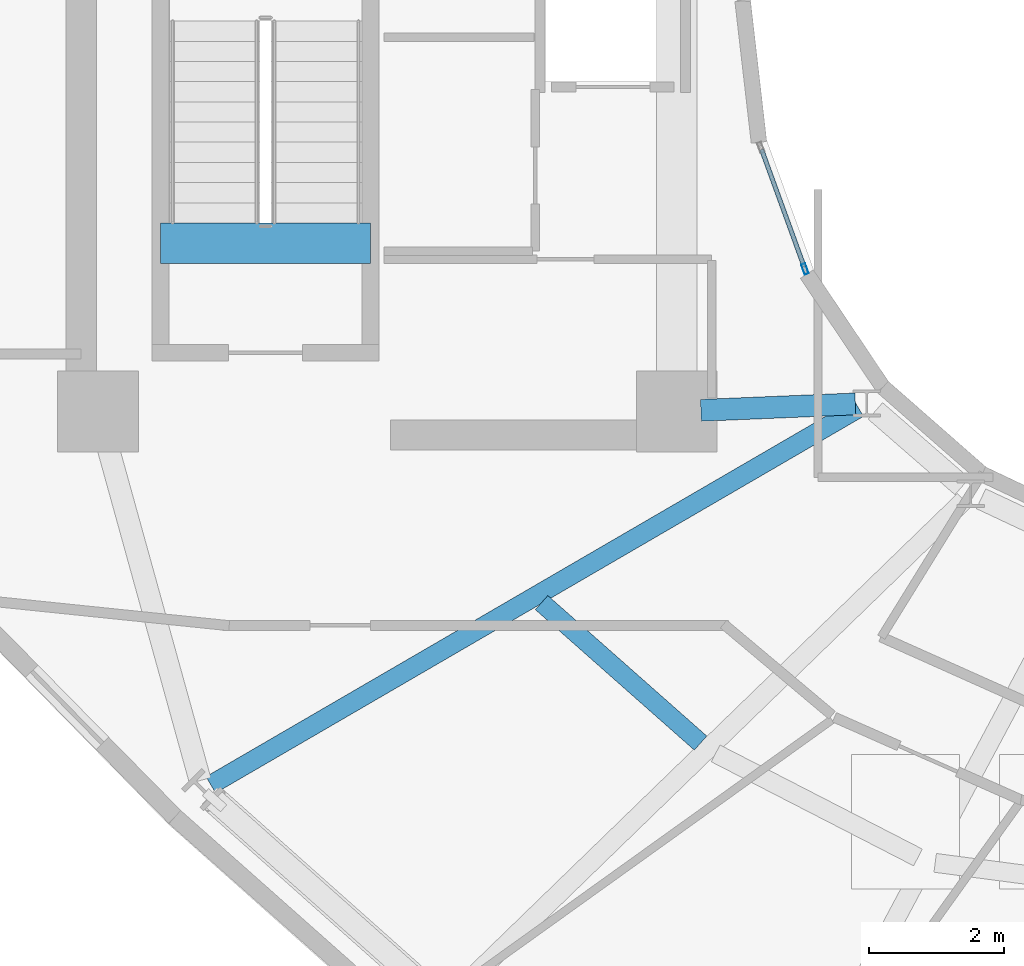
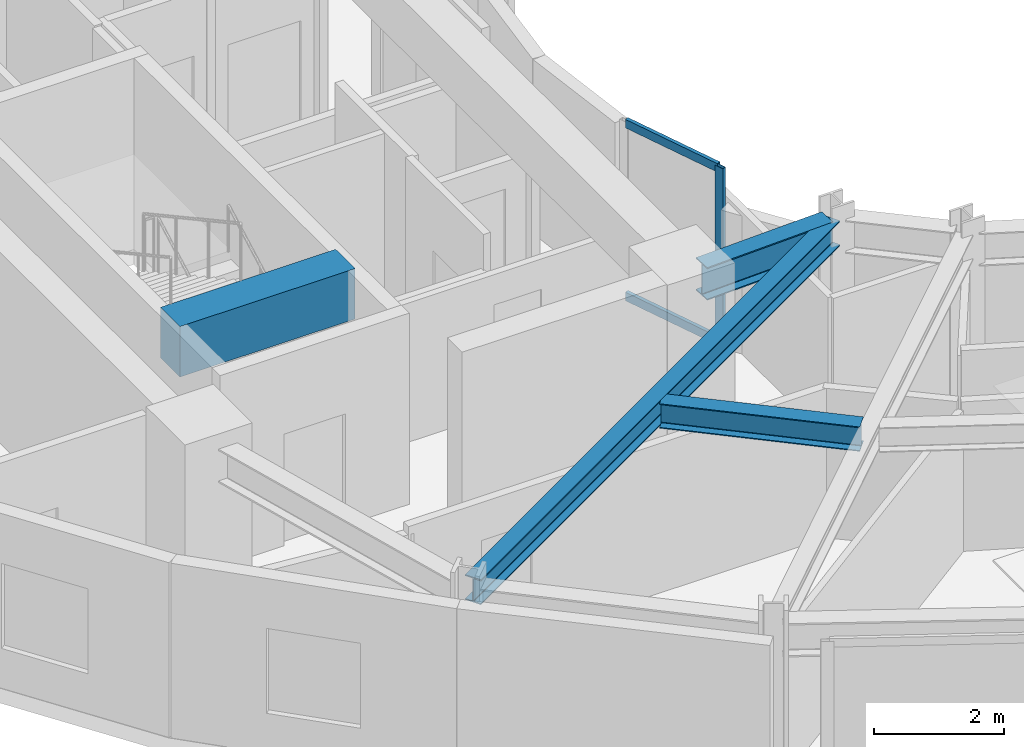
# One storey, part 3 of 24: 4 beams, 3 members, 1 element without a shape of its own.
"""IFC4 building model written with IfcOpenShell, lengths in metres."""

from ifc_helpers import new_model, si_unit, direction, frame, origin, origin_2d, place, context, subcontext, project, spatial, rectangle, hollow_rectangle, i_section, extrude, material, layer, layer_set, material_profile, profile_set, type_object, element, aggregate, save


model = new_model("IFC4")

# Units and contexts
model_context = context("Model", 3, precision=1e-05, world=origin(), true_north=direction((0.0, 1.0)))
body_context = subcontext(model_context, "Body", "Model", "MODEL_VIEW")
ifc_project = project(units=[si_unit("LENGTHUNIT", "METRE"), si_unit("AREAUNIT", "SQUARE_METRE"), si_unit("VOLUMEUNIT", "CUBIC_METRE"), si_unit("PLANEANGLEUNIT", "RADIAN"), si_unit("MASSUNIT", "GRAM", prefix="KILO")], contexts=[model_context])

# Site, building, storey
site_placement = place(None, origin())
site = spatial("IfcSite", under=ifc_project, at=site_placement, CompositionType="ELEMENT")
building_placement = place(site_placement, origin())
building = spatial("IfcBuilding", under=site, at=building_placement, Name="Solvane Sanctuary Tower", CompositionType="ELEMENT")
storey_placement = place(building_placement, frame((0.0, 0.0, 246.0)))
storey = spatial("IfcBuildingStorey", under=building, at=storey_placement, Name="L75", CompositionType="ELEMENT", Elevation=246.0)

# Beams
ifc_material_1 = material(Name="Concrete C70/85", Category="concrete")
ifc_material_profile_1 = material_profile(ifc_material_1, rectangle(XDim=0.60009765625, YDim=0.949951171875, at=origin_2d()), Name="RC600X950")
ifc_profile_set_1 = profile_set([ifc_material_profile_1], Name="Concrete C70/85")
beam_type_1 = type_object("IfcBeamType", Name="Beam B-COUPLE RC600X950", PredefinedType="LINTEL", material=ifc_profile_set_1)
beam_1_placement = place(storey_placement, frame((16.22998046875, 19.399169921875, 3.125), z_axis=(1.0, 0.0, 0.0), x_axis=(0.0, 1.0, 0.0)))
element("IfcBeam", 1, at=beam_1_placement, inside=storey, type_object=beam_type_1, Name="L75 ST-1 Stair Floor Landing Trimmer", PredefinedType="LINTEL", context=body_context, shape_type="SweptSolid", body=[
    extrude(rectangle(XDim=0.60009765625, YDim=0.949951171875, at=origin_2d()), origin(), (0.0, 0.0, 1.0), 3.1201171875),
])
ifc_material_2 = material(Name="Steel ASTM A992 Grade 50", Category="steel")
ifc_material_profile_2 = material_profile(ifc_material_2, i_section(OverallWidth=0.282958984375, OverallDepth=0.471923828125, WebThickness=0.013671875, FlangeThickness=0.022216796875, FilletRadius=0.013916015625, at=origin_2d()), Name="W18X97")
ifc_profile_set_2 = profile_set([ifc_material_profile_2], Name="Steel ASTM A992 Grade 50")
beam_type_2 = type_object("IfcBeamType", Name="Beam B-RAD-Z4 W18X97", PredefinedType="JOIST", material=ifc_profile_set_2)
beam_2_placement = place(storey_placement, frame((26.60400390625, 16.947509765625, 3.08203125), z_axis=(-0.864496775109, -0.502638364857, 0.0), x_axis=(0.502638364857, -0.864496775109, 0.0)))
element("IfcBeam", 2, at=beam_2_placement, inside=storey, type_object=beam_type_2, Name="L75 Radial Composite Floor Beam 08", PredefinedType="JOIST", context=body_context, shape_type="SweptSolid", body=[
    extrude(i_section(OverallWidth=0.282958984375, OverallDepth=0.471923828125, WebThickness=0.013671875, FlangeThickness=0.022216796875, FilletRadius=0.013916015625, at=origin_2d()), origin(), (0.0, 0.0, 1.0), 11.136962890625),
])
ifc_material_profile_3 = material_profile(ifc_material_2, i_section(OverallWidth=0.324951171875, OverallDepth=0.615966796875, WebThickness=0.013916015625, FlangeThickness=0.021484375, FilletRadius=0.01611328125, at=origin_2d()), Name="W24X117")
ifc_profile_set_3 = profile_set([ifc_material_profile_3], Name="Steel ASTM A992 Grade 50")
beam_type_3 = type_object("IfcBeamType", Name="Beam B-RING-IN2 W24X117", PredefinedType="BEAM", material=ifc_profile_set_3)
beam_3_placement = place(storey_placement, frame((24.259765625, 16.9150390625, 3.010009765625), z_axis=(0.9991319677, 0.04165706566, 0.0), x_axis=(-0.04165706566, 0.9991319677, 0.0)))
element("IfcBeam", 3, at=beam_3_placement, inside=storey, type_object=beam_type_3, Name="L75 Inner Light-Well Ring Beam CW2-IC08", PredefinedType="BEAM", context=body_context, shape_type="SweptSolid", body=[
    extrude(i_section(OverallWidth=0.324951171875, OverallDepth=0.615966796875, WebThickness=0.013916015625, FlangeThickness=0.021484375, FilletRadius=0.01611328125, at=origin_2d()), origin(), (0.0, 0.0, 1.0), 2.29736328125),
])
ifc_material_profile_4 = material_profile(ifc_material_2, i_section(OverallWidth=0.280029296875, OverallDepth=0.462890625, WebThickness=0.0107421875, FlangeThickness=0.017333984375, FilletRadius=0.013916015625, at=origin_2d()), Name="W18X76")
ifc_profile_set_4 = profile_set([ifc_material_profile_4], Name="Steel ASTM A992 Grade 50")
beam_type_4 = type_object("IfcBeamType", Name="Beam B-SEC-JOIST W18X76", PredefinedType="JOIST", material=ifc_profile_set_4)
beam_4_placement = place(storey_placement, frame((21.892333984375, 14.05810546875, 3.08642578125), z_axis=(0.749354102876, -0.662169486236, 0.0), x_axis=(0.662169486236, 0.749354102876, 0.0)))
element("IfcBeam", 4, at=beam_4_placement, inside=storey, type_object=beam_type_4, Name="L75 Secondary Circumferential Joist 08-09", PredefinedType="JOIST", context=body_context, shape_type="SweptSolid", body=[
    extrude(i_section(OverallWidth=0.280029296875, OverallDepth=0.462890625, WebThickness=0.0107421875, FlangeThickness=0.017333984375, FilletRadius=0.013916015625, at=origin_2d()), origin(), (0.0, 0.0, 1.0), 3.153076171875),
])

# Curtain wall, members
ifc_material_3 = material(Name="Anodised Aluminium 6063-T6", Category="aluminium")
ifc_layer = layer(ifc_material_3, 0.199951171875, Name="Anodised Aluminium 6063-T6")
ifc_layer_set = layer_set([ifc_layer], Name="Anodised Aluminium 6063-T6")
curtain_wall_type = type_object("IfcCurtainWallType", Name="Curtain Wall CW-WELL", PredefinedType="NOTDEFINED", material=ifc_layer_set)
curtain_wall_placement = place(storey_placement, origin())
curtain_wall = element("IfcCurtainWall", 5, at=curtain_wall_placement, inside=storey, type_object=curtain_wall_type, Name="L75 Light-Well Glazed Curtain Wall 13", PredefinedType="NOTDEFINED")
ifc_material_profile_5 = material_profile(ifc_material_3, hollow_rectangle(XDim=0.06494140625, YDim=0.159912109375, WallThickness=0.00341796875, at=origin_2d()), Name="ALU160X65X3.5")
ifc_profile_set_5 = profile_set([ifc_material_profile_5], Name="Anodised Aluminium 6063-T6")
member_type_1 = type_object("IfcMemberType", Name="Member M-CW-MUL-2 ALU160X65X3.5", PredefinedType="MULLION", material=ifc_profile_set_5)
member_1_placement = place(storey_placement, frame((25.8056640625, 19.017578125, 0.0), z_axis=(0.0, 0.0, 1.0), x_axis=(0.939933181429, 0.341358483781, 0.0)))
member_1 = element("IfcMember", 6, at=member_1_placement, type_object=member_type_1, Name="CW-WELL mullion 2", PredefinedType="MULLION", context=body_context, shape_type="SweptSolid", body=[
    extrude(hollow_rectangle(XDim=0.06494140625, YDim=0.159912109375, WallThickness=0.00341796875, at=origin_2d()), origin(), (0.0, 0.0, 1.0), 3.320068359375),
])
ifc_material_profile_6 = material_profile(ifc_material_3, hollow_rectangle(XDim=0.06494140625, YDim=0.159912109375, WallThickness=0.00341796875, at=origin_2d()), Name="ALU160X65X3.5")
ifc_profile_set_6 = profile_set([ifc_material_profile_6], Name="Anodised Aluminium 6063-T6")
member_type_2 = type_object("IfcMemberType", Name="Member M-CW-TRN-1 ALU160X65X3.5", PredefinedType="USERDEFINED", material=ifc_profile_set_6)
member_2_placement = place(storey_placement, frame((25.161865234375, 20.790283203125, 0.032470703125), z_axis=(0.341404620561, -0.939916424508, 0.0), x_axis=(0.939916424508, 0.341404620561, 0.0)))
member_2 = element("IfcMember", 7, at=member_2_placement, type_object=member_type_2, Name="CW-WELL transom 1.1", ObjectType="TRANSOM", PredefinedType="USERDEFINED", context=body_context, shape_type="SweptSolid", body=[
    extrude(hollow_rectangle(XDim=0.06494140625, YDim=0.159912109375, WallThickness=0.00341796875, at=origin_2d()), origin(), (0.0, 0.0, 1.0), 1.853515625),
])
member_3_placement = place(storey_placement, frame((25.161865234375, 20.790283203125, 3.28759765625), z_axis=(0.341404620561, -0.939916424508, 0.0), x_axis=(0.939916424508, 0.341404620561, 0.0)))
member_3 = element("IfcMember", 8, at=member_3_placement, type_object=member_type_2, Name="CW-WELL transom 1.2", ObjectType="TRANSOM", PredefinedType="USERDEFINED", context=body_context, shape_type="SweptSolid", body=[
    extrude(hollow_rectangle(XDim=0.06494140625, YDim=0.159912109375, WallThickness=0.00341796875, at=origin_2d()), origin(), (0.0, 0.0, 1.0), 1.853515625),
])
aggregate(curtain_wall, [member_1, member_2, member_3])

save(model, "model.ifc")
